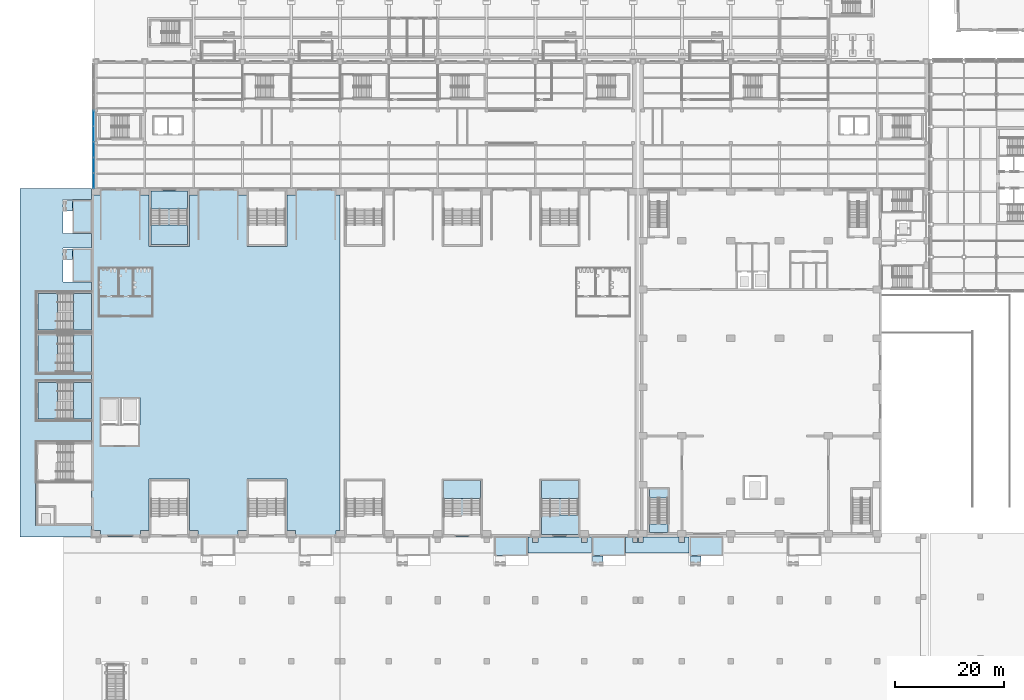
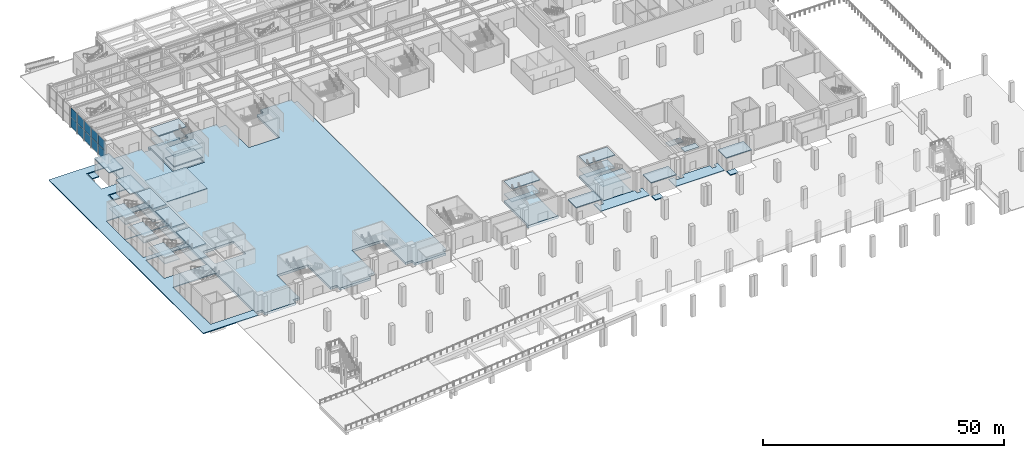
# One storey, part 30 of 77: 37 slabs, 10 plates, 13 elements without a shape of their own.
"""IFC4 building model written with IfcOpenShell, lengths in metres."""

from ifc_helpers import new_model, si_unit, direction, frame, origin, origin_2d, place, context, subcontext, project, spatial, polyline, rectangle, outline, extrude, material, layer, layer_set, type_object, element, aggregate, save


model = new_model("IFC4")

# Units and contexts
model_context = context("Model", 3, precision=1e-05, world=origin(), true_north=direction((0.0, 1.0)))
body_context = subcontext(model_context, "Body", "Model", "MODEL_VIEW")
ifc_project = project(units=[si_unit("LENGTHUNIT", "METRE"), si_unit("AREAUNIT", "SQUARE_METRE"), si_unit("VOLUMEUNIT", "CUBIC_METRE"), si_unit("PLANEANGLEUNIT", "RADIAN"), si_unit("MASSUNIT", "GRAM", prefix="KILO")], contexts=[model_context])

# Site, building, storey
site_placement = place(None, origin())
site = spatial("IfcSite", under=ifc_project, at=site_placement, CompositionType="ELEMENT")
building_placement = place(site_placement, origin())
building = spatial("IfcBuilding", under=site, at=building_placement, Name="Aravalli Gate Trade Fair Centre", CompositionType="ELEMENT")
storey_placement = place(building_placement, origin())
storey = spatial("IfcBuildingStorey", under=building, at=storey_placement, Name="L00", CompositionType="ELEMENT", Elevation=0.0)

# Slabs
ifc_material_1 = material(Name="Concrete M40", Category="concrete")
ifc_layer_1 = layer(ifc_material_1, 0.199951171875)
ifc_layer_set_1 = layer_set([ifc_layer_1], Name="Concrete M40")
slab_type_1 = type_object("IfcSlabType", Name="Apron paving 200", PredefinedType="USERDEFINED", material=ifc_layer_set_1)
slab_1_placement = place(storey_placement, frame((0.0, 0.0, -0.199951171875)))
element("IfcSlab", 1, at=slab_1_placement, inside=storey, type_object=slab_type_1, Name="Paving lane 2", ObjectType="PAVING", PredefinedType="USERDEFINED", context=body_context, shape_type="SweptSolid", body=[
    extrude(outline(polyline([(86.5, 45.39990234375), (86.5, 44.39990234375), (87.5, 44.39990234375), (87.5, 45.39990234375), (95.5, 45.39990234375), (95.5, 44.39990234375), (96.5, 44.39990234375), (96.5, 45.39990234375), (97.35009765625, 45.39990234375), (97.35009765625, 42.39990234375), (85.64990234375, 42.39990234375), (85.64990234375, 45.39990234375), (86.5, 45.39990234375)])), origin(), (0.0, 0.0, 1.0), 0.199951171875),
])
slab_2_placement = place(storey_placement, frame((0.0, 0.0, -0.199951171875)))
element("IfcSlab", 2, at=slab_2_placement, inside=storey, type_object=slab_type_1, Name="Paving lane 2", ObjectType="PAVING", PredefinedType="USERDEFINED", context=body_context, shape_type="SweptSolid", body=[
    extrude(outline(polyline([(105.0, 45.39990234375), (105.0, 44.39990234375), (105.800048828125, 44.39990234375), (105.800048828125, 45.39990234375), (106.0, 45.39990234375), (106.0, 44.39990234375), (106.800048828125, 44.39990234375), (106.800048828125, 45.39990234375), (113.5, 45.39990234375), (113.5, 44.39990234375), (114.5, 44.39990234375), (114.5, 45.39990234375), (115.35009765625, 45.39990234375), (115.35009765625, 42.39990234375), (103.64990234375, 42.39990234375), (103.64990234375, 45.39990234375), (105.0, 45.39990234375)])), origin(), (0.0, 0.0, 1.0), 0.199951171875),
])
ifc_material_2 = material(Name="Concrete M30", Category="concrete")
ifc_layer_2 = layer(ifc_material_2, 0.199951171875)
ifc_layer_set_2 = layer_set([ifc_layer_2], Name="Concrete M30")
slab_type_2 = type_object("IfcSlabType", Name="Basement exit apron 200", PredefinedType="USERDEFINED", material=ifc_layer_set_2)
slab_3_placement = place(storey_placement, frame((0.0, 0.0, -0.199951171875)))
element("IfcSlab", 3, at=slab_3_placement, inside=storey, type_object=slab_type_2, Name="Basement stair W1 exit apron", ObjectType="PAVING", PredefinedType="USERDEFINED", context=body_context, shape_type="SweptSolid", body=[
    extrude(outline(polyline([(1.699951171875, 98.449951171875), (1.699951171875, 96.5), (0.10009765625, 96.5), (0.10009765625, 98.449951171875), (1.699951171875, 98.449951171875)])), origin(), (0.0, 0.0, 1.0), 0.199951171875),
])
slab_4_placement = place(storey_placement, frame((0.0, 0.0, -0.199951171875)))
element("IfcSlab", 4, at=slab_4_placement, inside=storey, type_object=slab_type_2, Name="Basement stair W2 exit apron", ObjectType="PAVING", PredefinedType="USERDEFINED", context=body_context, shape_type="SweptSolid", body=[
    extrude(outline(polyline([(1.699951171875, 107.39990234375), (1.699951171875, 105.449951171875), (0.10009765625, 105.449951171875), (0.10009765625, 107.39990234375), (1.699951171875, 107.39990234375)])), origin(), (0.0, 0.0, 1.0), 0.199951171875),
])
slab_5_placement = place(storey_placement, frame((0.0, 0.0, -0.199951171875)))
element("IfcSlab", 5, at=slab_5_placement, inside=storey, type_object=slab_type_2, Name="Basement stair S5 exit apron", ObjectType="PAVING", PredefinedType="USERDEFINED", context=body_context, shape_type="SweptSolid", body=[
    extrude(outline(polyline([(97.550048828125, 41.89990234375), (99.5, 41.89990234375), (99.5, 40.300048828125), (97.550048828125, 40.300048828125), (97.550048828125, 41.89990234375)])), origin(), (0.0, 0.0, 1.0), 0.199951171875),
])
slab_6_placement = place(storey_placement, frame((0.0, 0.0, -0.199951171875)))
element("IfcSlab", 6, at=slab_6_placement, inside=storey, type_object=slab_type_2, Name="Basement stair S6 exit apron", ObjectType="PAVING", PredefinedType="USERDEFINED", context=body_context, shape_type="SweptSolid", body=[
    extrude(outline(polyline([(115.550048828125, 41.89990234375), (117.5, 41.89990234375), (117.5, 40.300048828125), (115.550048828125, 40.300048828125), (115.550048828125, 41.89990234375)])), origin(), (0.0, 0.0, 1.0), 0.199951171875),
])
ifc_material_3 = material(Name="Concrete M35", Category="concrete")
ifc_layer_3 = layer(ifc_material_3, 0.199951171875)
ifc_layer_set_3 = layer_set([ifc_layer_3], Name="Concrete M35")
slab_type_3 = type_object("IfcSlabType", Name="Basement stair head roof 200", PredefinedType="ROOF", material=ifc_layer_set_3)
slab_7_placement = place(storey_placement, frame((0.0, 0.0, 3.199951171875)))
element("IfcSlab", 7, at=slab_7_placement, inside=storey, type_object=slab_type_3, Name="Basement stair W1 head roof", PredefinedType="ROOF", context=body_context, shape_type="SweptSolid", body=[
    extrude(outline(polyline([(5.199951171875, 98.550048828125), (5.199951171875, 92.449951171875), (1.699951171875, 92.449951171875), (1.699951171875, 98.550048828125), (5.199951171875, 98.550048828125)])), origin(), (0.0, 0.0, 1.0), 0.199951171875),
])
slab_8_placement = place(storey_placement, frame((0.0, 0.0, 3.199951171875)))
element("IfcSlab", 8, at=slab_8_placement, inside=storey, type_object=slab_type_3, Name="Basement stair W2 head roof", PredefinedType="ROOF", context=body_context, shape_type="SweptSolid", body=[
    extrude(outline(polyline([(5.199951171875, 107.5), (5.199951171875, 101.39990234375), (1.699951171875, 101.39990234375), (1.699951171875, 107.5), (5.199951171875, 107.5)])), origin(), (0.0, 0.0, 1.0), 0.199951171875),
])
slab_9_placement = place(storey_placement, frame((0.0, 0.0, 3.199951171875)))
element("IfcSlab", 9, at=slab_9_placement, inside=storey, type_object=slab_type_3, Name="Basement stair S4 head roof", PredefinedType="ROOF", context=body_context, shape_type="SweptSolid", body=[
    extrude(outline(polyline([(79.449951171875, 45.39990234375), (85.550048828125, 45.39990234375), (85.550048828125, 41.89990234375), (79.449951171875, 41.89990234375), (79.449951171875, 45.39990234375)])), origin(), (0.0, 0.0, 1.0), 0.199951171875),
])
slab_10_placement = place(storey_placement, frame((0.0, 0.0, 3.199951171875)))
element("IfcSlab", 10, at=slab_10_placement, inside=storey, type_object=slab_type_3, Name="Basement stair S5 head roof", PredefinedType="ROOF", context=body_context, shape_type="SweptSolid", body=[
    extrude(outline(polyline([(97.449951171875, 45.39990234375), (103.550048828125, 45.39990234375), (103.550048828125, 41.89990234375), (97.449951171875, 41.89990234375), (97.449951171875, 45.39990234375)])), origin(), (0.0, 0.0, 1.0), 0.199951171875),
])
slab_11_placement = place(storey_placement, frame((0.0, 0.0, 3.199951171875)))
element("IfcSlab", 11, at=slab_11_placement, inside=storey, type_object=slab_type_3, Name="Basement stair S6 head roof", PredefinedType="ROOF", context=body_context, shape_type="SweptSolid", body=[
    extrude(outline(polyline([(115.449951171875, 45.39990234375), (121.550048828125, 45.39990234375), (121.550048828125, 41.89990234375), (115.449951171875, 41.89990234375), (115.449951171875, 45.39990234375)])), origin(), (0.0, 0.0, 1.0), 0.199951171875),
])

# Stair, slabs
ifc_material_4 = material(Name="Concrete M45", Category="concrete")
stair_type_1 = type_object("IfcStairType", Name="Congress exit stair", PredefinedType="HALF_TURN_STAIR", material=ifc_material_4)
stair_1_placement = place(storey_placement, origin())
stair_1 = element("IfcStair", 12, at=stair_1_placement, inside=storey, type_object=stair_type_1, Name="Stage Stair West L00", PredefinedType="HALF_TURN_STAIR")
ifc_layer_4 = layer(ifc_material_4, 0.199951171875)
ifc_layer_set_4 = layer_set([ifc_layer_4], Name="Concrete M45")
slab_type_4 = type_object("IfcSlabType", Name="Congress exit stair landing RC 200", PredefinedType="LANDING", material=ifc_layer_set_4)
slab_12_placement = place(storey_placement, frame((0.0, 0.0, 2.300048828125)))
slab_12 = element("IfcSlab", 13, at=slab_12_placement, type_object=slab_type_4, Name="GX1 landing 1", PredefinedType="LANDING", context=body_context, shape_type="SweptSolid", body=[
    extrude(outline(polyline([(108.0, 52.60009765625), (111.39990234375, 52.60009765625), (111.39990234375, 54.199951171875), (108.0, 54.199951171875), (108.0, 52.60009765625)])), origin(), (0.0, 0.0, 1.0), 0.199951171875),
])
slab_13_placement = place(storey_placement, frame((0.0, 0.0, 4.800048828125)))
slab_13 = element("IfcSlab", 14, at=slab_13_placement, type_object=slab_type_4, Name="GX1 landing 2", PredefinedType="LANDING", context=body_context, shape_type="SweptSolid", body=[
    extrude(outline(polyline([(108.0, 46.199951171875), (111.39990234375, 46.199951171875), (111.39990234375, 47.800048828125), (108.0, 47.800048828125), (108.0, 46.199951171875)])), origin(), (0.0, 0.0, 1.0), 0.199951171875),
])
aggregate(stair_1, [slab_12, slab_13])

# Curtain wall, plates
ifc_material_5 = material(Name="Aluminium and glass", Category="aluminium")
curtain_wall_type = type_object("IfcCurtainWallType", Name="Curtain wall 3000 module, tall", PredefinedType="NOTDEFINED", material=ifc_material_5)
curtain_wall_placement = place(storey_placement, origin())
curtain_wall = element("IfcCurtainWall", 15, at=curtain_wall_placement, inside=storey, type_object=curtain_wall_type, Name="Curtain wall west end L00", PredefinedType="NOTDEFINED")
ifc_material_6 = material(Name="Glass, double glazed", Category="glass")
ifc_layer_5 = layer(ifc_material_6, 0.028076171875)
ifc_layer_set_5 = layer_set([ifc_layer_5], Name="Glass, double glazed")
plate_type = type_object("IfcPlateType", Name="Curtain wall panel, double glazed 28", PredefinedType="CURTAIN_PANEL", material=ifc_layer_set_5)
plate_1_placement = place(storey_placement, frame((5.574951171875, 111.052490234375, 0.06005859375), z_axis=(0.0, 0.0, 1.0), x_axis=(0.0, 1.0, 0.0)))
plate_1 = element("IfcPlate", 16, at=plate_1_placement, type_object=plate_type, Name="CW3 panel 1.1", PredefinedType="CURTAIN_PANEL", context=body_context, shape_type="SweptSolid", body=[
    extrude(rectangle(XDim=2.784912109375, YDim=0.028076171875, at=origin_2d()), origin(), (0.0, 0.0, 1.0), 2.409912109375),
])
plate_2_placement = place(storey_placement, frame((5.574951171875, 111.052490234375, 2.5302734375), z_axis=(0.0, 0.0, 1.0), x_axis=(0.0, 1.0, 0.0)))
plate_2 = element("IfcPlate", 17, at=plate_2_placement, type_object=plate_type, Name="CW3 panel 1.2", PredefinedType="CURTAIN_PANEL", context=body_context, shape_type="SweptSolid", body=[
    extrude(rectangle(XDim=2.784912109375, YDim=0.028076171875, at=origin_2d()), origin(), (0.0, 0.0, 1.0), 2.409912109375),
])
plate_3_placement = place(storey_placement, frame((5.574951171875, 113.91259765625, 0.06005859375), z_axis=(0.0, 0.0, 1.0), x_axis=(0.0, 1.0, 0.0)))
plate_3 = element("IfcPlate", 18, at=plate_3_placement, type_object=plate_type, Name="CW3 panel 2.1", PredefinedType="CURTAIN_PANEL", context=body_context, shape_type="SweptSolid", body=[
    extrude(rectangle(XDim=2.81494140625, YDim=0.028076171875, at=origin_2d()), origin(), (0.0, 0.0, 1.0), 2.409912109375),
])
plate_4_placement = place(storey_placement, frame((5.574951171875, 113.91259765625, 2.5302734375), z_axis=(0.0, 0.0, 1.0), x_axis=(0.0, 1.0, 0.0)))
plate_4 = element("IfcPlate", 19, at=plate_4_placement, type_object=plate_type, Name="CW3 panel 2.2", PredefinedType="CURTAIN_PANEL", context=body_context, shape_type="SweptSolid", body=[
    extrude(rectangle(XDim=2.81494140625, YDim=0.028076171875, at=origin_2d()), origin(), (0.0, 0.0, 1.0), 2.409912109375),
])
plate_5_placement = place(storey_placement, frame((5.574951171875, 116.78759765625, 0.06005859375), z_axis=(0.0, 0.0, 1.0), x_axis=(0.0, 1.0, 0.0)))
plate_5 = element("IfcPlate", 20, at=plate_5_placement, type_object=plate_type, Name="CW3 panel 3.1", PredefinedType="CURTAIN_PANEL", context=body_context, shape_type="SweptSolid", body=[
    extrude(rectangle(XDim=2.81494140625, YDim=0.028076171875, at=origin_2d()), origin(), (0.0, 0.0, 1.0), 2.409912109375),
])
plate_6_placement = place(storey_placement, frame((5.574951171875, 116.78759765625, 2.5302734375), z_axis=(0.0, 0.0, 1.0), x_axis=(0.0, 1.0, 0.0)))
plate_6 = element("IfcPlate", 21, at=plate_6_placement, type_object=plate_type, Name="CW3 panel 3.2", PredefinedType="CURTAIN_PANEL", context=body_context, shape_type="SweptSolid", body=[
    extrude(rectangle(XDim=2.81494140625, YDim=0.028076171875, at=origin_2d()), origin(), (0.0, 0.0, 1.0), 2.409912109375),
])
plate_7_placement = place(storey_placement, frame((5.574951171875, 119.66259765625, 0.06005859375), z_axis=(0.0, 0.0, 1.0), x_axis=(0.0, 1.0, 0.0)))
plate_7 = element("IfcPlate", 22, at=plate_7_placement, type_object=plate_type, Name="CW3 panel 4.1", PredefinedType="CURTAIN_PANEL", context=body_context, shape_type="SweptSolid", body=[
    extrude(rectangle(XDim=2.81494140625, YDim=0.028076171875, at=origin_2d()), origin(), (0.0, 0.0, 1.0), 2.409912109375),
])
plate_8_placement = place(storey_placement, frame((5.574951171875, 119.66259765625, 2.5302734375), z_axis=(0.0, 0.0, 1.0), x_axis=(0.0, 1.0, 0.0)))
plate_8 = element("IfcPlate", 23, at=plate_8_placement, type_object=plate_type, Name="CW3 panel 4.2", PredefinedType="CURTAIN_PANEL", context=body_context, shape_type="SweptSolid", body=[
    extrude(rectangle(XDim=2.81494140625, YDim=0.028076171875, at=origin_2d()), origin(), (0.0, 0.0, 1.0), 2.409912109375),
])
plate_9_placement = place(storey_placement, frame((5.574951171875, 122.53759765625, 0.06005859375), z_axis=(0.0, 0.0, 1.0), x_axis=(0.0, 1.0, 0.0)))
plate_9 = element("IfcPlate", 24, at=plate_9_placement, type_object=plate_type, Name="CW3 panel 5.1", PredefinedType="CURTAIN_PANEL", context=body_context, shape_type="SweptSolid", body=[
    extrude(rectangle(XDim=2.81494140625, YDim=0.028076171875, at=origin_2d()), origin(), (0.0, 0.0, 1.0), 2.409912109375),
])
plate_10_placement = place(storey_placement, frame((5.574951171875, 122.53759765625, 2.5302734375), z_axis=(0.0, 0.0, 1.0), x_axis=(0.0, 1.0, 0.0)))
plate_10 = element("IfcPlate", 25, at=plate_10_placement, type_object=plate_type, Name="CW3 panel 5.2", PredefinedType="CURTAIN_PANEL", context=body_context, shape_type="SweptSolid", body=[
    extrude(rectangle(XDim=2.81494140625, YDim=0.028076171875, at=origin_2d()), origin(), (0.0, 0.0, 1.0), 2.409912109375),
])
aggregate(curtain_wall, [plate_1, plate_2, plate_3, plate_4, plate_5, plate_6, plate_7, plate_8, plate_9, plate_10])

# Slabs
ifc_layer_6 = layer(ifc_material_1, 0.60009765625)
ifc_layer_set_6 = layer_set([ifc_layer_6], Name="Concrete M40")
slab_type_5 = type_object("IfcSlabType", Name="Hall 1 deck RC 600", PredefinedType="FLOOR", material=ifc_layer_set_6)
slab_14_placement = place(storey_placement, frame((0.0, 0.0, -0.60009765625)))
element("IfcSlab", 26, at=slab_14_placement, inside=storey, type_object=slab_type_5, Name="Hall 1 deck panel 1", PredefinedType="FLOOR", context=body_context, shape_type="SweptSolid", body=[
    extrude(outline(polyline([(50.199951171875, 46.60009765625), (50.199951171875, 45.39990234375), (42.800048828125, 45.39990234375), (42.800048828125, 46.60009765625), (41.199951171875, 46.60009765625), (41.199951171875, 56.050048828125), (40.89990234375, 56.050048828125), (34.10009765625, 56.050048828125), (33.800048828125, 56.050048828125), (33.800048828125, 46.60009765625), (32.199951171875, 46.60009765625), (32.199951171875, 45.39990234375), (24.800048828125, 45.39990234375), (24.800048828125, 46.60009765625), (23.199951171875, 46.60009765625), (23.199951171875, 56.050048828125), (22.89990234375, 56.050048828125), (16.10009765625, 56.050048828125), (15.800048828125, 56.050048828125), (15.800048828125, 46.60009765625), (14.199951171875, 46.60009765625), (14.199951171875, 45.39990234375), (6.800048828125, 45.39990234375), (6.800048828125, 46.60009765625), (5.199951171875, 46.60009765625), (5.199951171875, 108.39990234375), (6.800048828125, 108.39990234375), (6.800048828125, 109.60009765625), (14.199951171875, 109.60009765625), (14.199951171875, 108.39990234375), (15.800048828125, 108.39990234375), (15.800048828125, 98.949951171875), (16.10009765625, 98.949951171875), (22.89990234375, 98.949951171875), (23.199951171875, 98.949951171875), (23.199951171875, 108.39990234375), (24.800048828125, 108.39990234375), (24.800048828125, 109.60009765625), (32.199951171875, 109.60009765625), (32.199951171875, 108.39990234375), (33.800048828125, 108.39990234375), (33.800048828125, 98.949951171875), (34.10009765625, 98.949951171875), (40.89990234375, 98.949951171875), (41.199951171875, 98.949951171875), (41.199951171875, 108.39990234375), (42.800048828125, 108.39990234375), (42.800048828125, 109.60009765625), (50.199951171875, 109.60009765625), (50.199951171875, 108.39990234375), (50.97998046875, 108.39990234375), (50.97998046875, 46.60009765625), (50.199951171875, 46.60009765625)]), holes=[polyline([(14.10009765625, 66.0), (14.10009765625, 71.10009765625), (6.699951171875, 71.10009765625), (6.699951171875, 66.0), (14.10009765625, 66.0)])]), origin(), (0.0, 0.0, 1.0), 0.60009765625),
])
slab_15_placement = place(storey_placement, frame((0.0, 0.0, -0.60009765625)))
element("IfcSlab", 27, at=slab_15_placement, inside=storey, type_object=slab_type_5, Name="Hall 1 deck panel 1", PredefinedType="FLOOR", context=body_context, shape_type="SweptSolid", body=[
    extrude(outline(polyline([(15.800048828125, 109.60009765625), (23.199951171875, 109.60009765625), (23.199951171875, 109.14990234375), (22.89990234375, 109.14990234375), (22.89990234375, 99.25), (16.10009765625, 99.25), (16.10009765625, 109.14990234375), (15.800048828125, 109.14990234375), (15.800048828125, 109.60009765625)])), origin(), (0.0, 0.0, 1.0), 0.60009765625),
])
slab_16_placement = place(storey_placement, frame((0.0, 0.0, -0.60009765625)))
element("IfcSlab", 28, at=slab_16_placement, inside=storey, type_object=slab_type_5, Name="Hall 1 deck panel 2", PredefinedType="FLOOR", context=body_context, shape_type="SweptSolid", body=[
    extrude(outline(polyline([(77.199951171875, 45.39990234375), (69.800048828125, 45.39990234375), (69.800048828125, 45.85009765625), (70.10009765625, 45.85009765625), (70.10009765625, 55.75), (76.89990234375, 55.75), (76.89990234375, 45.85009765625), (77.199951171875, 45.85009765625), (77.199951171875, 45.39990234375)])), origin(), (0.0, 0.0, 1.0), 0.60009765625),
])
slab_17_placement = place(storey_placement, frame((0.0, 0.0, -0.60009765625)))
element("IfcSlab", 29, at=slab_17_placement, inside=storey, type_object=slab_type_5, Name="Hall 1 deck panel 2", PredefinedType="FLOOR", context=body_context, shape_type="SweptSolid", body=[
    extrude(outline(polyline([(95.199951171875, 45.39990234375), (87.800048828125, 45.39990234375), (87.800048828125, 45.85009765625), (88.10009765625, 45.85009765625), (88.10009765625, 55.75), (94.89990234375, 55.75), (94.89990234375, 45.85009765625), (95.199951171875, 45.85009765625), (95.199951171875, 45.39990234375)])), origin(), (0.0, 0.0, 1.0), 0.60009765625),
])

# Stair, slabs
stair_type_2 = type_object("IfcStairType", Name="Hall exit stair, three flights", PredefinedType="HALF_TURN_STAIR", material=ifc_material_1)
stair_2_placement = place(storey_placement, origin())
stair_2 = element("IfcStair", 30, at=stair_2_placement, inside=storey, type_object=stair_type_2, Name="Exit stair ST-S08 lane A L00", PredefinedType="HALF_TURN_STAIR")
ifc_layer_7 = layer(ifc_material_1, 0.199951171875)
ifc_layer_set_7 = layer_set([ifc_layer_7], Name="Concrete M40")
slab_type_6 = type_object("IfcSlabType", Name="Hall exit stair landing RC 200", PredefinedType="LANDING", material=ifc_layer_set_7)
slab_18_placement = place(storey_placement, frame((0.0, 0.0, 1.564697265625)))
slab_18 = element("IfcSlab", 31, at=slab_18_placement, type_object=slab_type_6, Name="ST-S08A landing 1", PredefinedType="LANDING", context=body_context, shape_type="SweptSolid", body=[
    extrude(outline(polyline([(70.10009765625, 52.449951171875), (76.89990234375, 52.449951171875), (76.89990234375, 55.75), (70.10009765625, 55.75), (70.10009765625, 52.449951171875)])), origin(), (0.0, 0.0, 1.0), 0.199951171875),
])
slab_19_placement = place(storey_placement, frame((0.0, 0.0, 4.800048828125)))
slab_19 = element("IfcSlab", 32, at=slab_19_placement, type_object=slab_type_6, Name="ST-S08A landing 2", PredefinedType="LANDING", context=body_context, shape_type="SweptSolid", body=[
    extrude(outline(polyline([(70.10009765625, 52.449951171875), (76.89990234375, 52.449951171875), (76.89990234375, 55.75), (70.10009765625, 55.75), (70.10009765625, 52.449951171875)])), origin(), (0.0, 0.0, 1.0), 0.199951171875),
])
aggregate(stair_2, [slab_18, slab_19])

stair_3_placement = place(storey_placement, origin())
stair_3 = element("IfcStair", 33, at=stair_3_placement, inside=storey, type_object=stair_type_2, Name="Exit stair ST-S10 lane A L00", PredefinedType="HALF_TURN_STAIR")
slab_20_placement = place(storey_placement, frame((0.0, 0.0, 1.564697265625)))
slab_20 = element("IfcSlab", 34, at=slab_20_placement, type_object=slab_type_6, Name="ST-S10A landing 1", PredefinedType="LANDING", context=body_context, shape_type="SweptSolid", body=[
    extrude(outline(polyline([(88.10009765625, 52.449951171875), (94.89990234375, 52.449951171875), (94.89990234375, 55.75), (88.10009765625, 55.75), (88.10009765625, 52.449951171875)])), origin(), (0.0, 0.0, 1.0), 0.199951171875),
])
slab_21_placement = place(storey_placement, frame((0.0, 0.0, 4.800048828125)))
slab_21 = element("IfcSlab", 35, at=slab_21_placement, type_object=slab_type_6, Name="ST-S10A landing 2", PredefinedType="LANDING", context=body_context, shape_type="SweptSolid", body=[
    extrude(outline(polyline([(88.10009765625, 52.449951171875), (94.89990234375, 52.449951171875), (94.89990234375, 55.75), (88.10009765625, 55.75), (88.10009765625, 52.449951171875)])), origin(), (0.0, 0.0, 1.0), 0.199951171875),
])
aggregate(stair_3, [slab_20, slab_21])

# Stair, slab
stair_4_placement = place(storey_placement, origin())
stair_4 = element("IfcStair", 36, at=stair_4_placement, inside=storey, type_object=stair_type_2, Name="Exit stair ST-S10 lane B L00", PredefinedType="HALF_TURN_STAIR")
slab_22_placement = place(storey_placement, frame((0.0, 0.0, 3.182373046875)))
slab_22 = element("IfcSlab", 37, at=slab_22_placement, type_object=slab_type_6, Name="ST-S10B landing 1", PredefinedType="LANDING", context=body_context, shape_type="SweptSolid", body=[
    extrude(outline(polyline([(88.10009765625, 45.85009765625), (94.89990234375, 45.85009765625), (94.89990234375, 49.449951171875), (88.10009765625, 49.449951171875), (88.10009765625, 45.85009765625)])), origin(), (0.0, 0.0, 1.0), 0.199951171875),
])
aggregate(stair_4, [slab_22])

# Stair, slabs
stair_type_3 = type_object("IfcStairType", Name="Hall exit stair, four flights", PredefinedType="HALF_TURN_STAIR", material=ifc_material_1)
stair_5_placement = place(storey_placement, origin())
stair_5 = element("IfcStair", 38, at=stair_5_placement, inside=storey, type_object=stair_type_3, Name="Exit stair ST-N02 lane A L00", PredefinedType="HALF_TURN_STAIR")
slab_23_placement = place(storey_placement, frame((0.0, 0.0, 1.050048828125)))
slab_23 = element("IfcSlab", 39, at=slab_23_placement, type_object=slab_type_6, Name="ST-N02A landing 1", PredefinedType="LANDING", context=body_context, shape_type="SweptSolid", body=[
    extrude(outline(polyline([(16.10009765625, 102.85009765625), (22.89990234375, 102.85009765625), (22.89990234375, 99.25), (16.10009765625, 99.25), (16.10009765625, 102.85009765625)])), origin(), (0.0, 0.0, 1.0), 0.199951171875),
])
slab_24_placement = place(storey_placement, frame((0.0, 0.0, 3.550048828125)))
slab_24 = element("IfcSlab", 40, at=slab_24_placement, type_object=slab_type_6, Name="ST-N02A landing 2", PredefinedType="LANDING", context=body_context, shape_type="SweptSolid", body=[
    extrude(outline(polyline([(16.10009765625, 102.85009765625), (22.89990234375, 102.85009765625), (22.89990234375, 99.25), (16.10009765625, 99.25), (16.10009765625, 102.85009765625)])), origin(), (0.0, 0.0, 1.0), 0.199951171875),
])
aggregate(stair_5, [slab_23, slab_24])

stair_6_placement = place(storey_placement, origin())
stair_6 = element("IfcStair", 41, at=stair_6_placement, inside=storey, type_object=stair_type_3, Name="Exit stair ST-N02 lane B L00", PredefinedType="HALF_TURN_STAIR")
slab_25_placement = place(storey_placement, frame((0.0, 0.0, 2.300048828125)))
slab_25 = element("IfcSlab", 42, at=slab_25_placement, type_object=slab_type_6, Name="ST-N02B landing 1", PredefinedType="LANDING", context=body_context, shape_type="SweptSolid", body=[
    extrude(outline(polyline([(16.10009765625, 109.14990234375), (22.89990234375, 109.14990234375), (22.89990234375, 105.85009765625), (16.10009765625, 105.85009765625), (16.10009765625, 109.14990234375)])), origin(), (0.0, 0.0, 1.0), 0.199951171875),
])
slab_26_placement = place(storey_placement, frame((0.0, 0.0, 4.800048828125)))
slab_26 = element("IfcSlab", 43, at=slab_26_placement, type_object=slab_type_6, Name="ST-N02B landing 2", PredefinedType="LANDING", context=body_context, shape_type="SweptSolid", body=[
    extrude(outline(polyline([(16.10009765625, 109.14990234375), (22.89990234375, 109.14990234375), (22.89990234375, 105.85009765625), (16.10009765625, 105.85009765625), (16.10009765625, 109.14990234375)])), origin(), (0.0, 0.0, 1.0), 0.199951171875),
])
aggregate(stair_6, [slab_25, slab_26])

stair_7_placement = place(storey_placement, origin())
stair_7 = element("IfcStair", 44, at=stair_7_placement, inside=storey, type_object=stair_type_2, Name="Exit stair ST-W2 lane A L00", PredefinedType="HALF_TURN_STAIR")
slab_27_placement = place(storey_placement, frame((0.0, 0.0, 1.564697265625)))
slab_27 = element("IfcSlab", 45, at=slab_27_placement, type_object=slab_type_6, Name="ST-W2A landing 1", PredefinedType="LANDING", context=body_context, shape_type="SweptSolid", body=[
    extrude(outline(polyline([(5.199951171875, 75.800048828125), (5.199951171875, 82.60009765625), (1.89990234375, 82.60009765625), (1.89990234375, 75.800048828125), (5.199951171875, 75.800048828125)])), origin(), (0.0, 0.0, 1.0), 0.199951171875),
])
slab_28_placement = place(storey_placement, frame((0.0, 0.0, 4.800048828125)))
slab_28 = element("IfcSlab", 46, at=slab_28_placement, type_object=slab_type_6, Name="ST-W2A landing 2", PredefinedType="LANDING", context=body_context, shape_type="SweptSolid", body=[
    extrude(outline(polyline([(5.199951171875, 75.800048828125), (5.199951171875, 82.60009765625), (1.89990234375, 82.60009765625), (1.89990234375, 75.800048828125), (5.199951171875, 75.800048828125)])), origin(), (0.0, 0.0, 1.0), 0.199951171875),
])
aggregate(stair_7, [slab_27, slab_28])

# Stair, slab
stair_8_placement = place(storey_placement, origin())
stair_8 = element("IfcStair", 47, at=stair_8_placement, inside=storey, type_object=stair_type_2, Name="Exit stair ST-W2 lane B L00", PredefinedType="HALF_TURN_STAIR")
slab_29_placement = place(storey_placement, frame((0.0, 0.0, 3.182373046875)))
slab_29 = element("IfcSlab", 48, at=slab_29_placement, type_object=slab_type_6, Name="ST-W2B landing 1", PredefinedType="LANDING", context=body_context, shape_type="SweptSolid", body=[
    extrude(outline(polyline([(-1.10009765625, 75.800048828125), (-1.10009765625, 82.60009765625), (-4.699951171875, 82.60009765625), (-4.699951171875, 75.800048828125), (-1.10009765625, 75.800048828125)])), origin(), (0.0, 0.0, 1.0), 0.199951171875),
])
aggregate(stair_8, [slab_29])

# Stair, slabs
stair_9_placement = place(storey_placement, origin())
stair_9 = element("IfcStair", 49, at=stair_9_placement, inside=storey, type_object=stair_type_2, Name="Exit stair ST-W4 lane A L00", PredefinedType="HALF_TURN_STAIR")
slab_30_placement = place(storey_placement, frame((0.0, 0.0, 1.564697265625)))
slab_30 = element("IfcSlab", 50, at=slab_30_placement, type_object=slab_type_6, Name="ST-W4A landing 1", PredefinedType="LANDING", context=body_context, shape_type="SweptSolid", body=[
    extrude(outline(polyline([(5.199951171875, 67.10009765625), (5.199951171875, 73.89990234375), (1.89990234375, 73.89990234375), (1.89990234375, 67.10009765625), (5.199951171875, 67.10009765625)])), origin(), (0.0, 0.0, 1.0), 0.199951171875),
])
slab_31_placement = place(storey_placement, frame((0.0, 0.0, 4.800048828125)))
slab_31 = element("IfcSlab", 51, at=slab_31_placement, type_object=slab_type_6, Name="ST-W4A landing 2", PredefinedType="LANDING", context=body_context, shape_type="SweptSolid", body=[
    extrude(outline(polyline([(5.199951171875, 67.10009765625), (5.199951171875, 73.89990234375), (1.89990234375, 73.89990234375), (1.89990234375, 67.10009765625), (5.199951171875, 67.10009765625)])), origin(), (0.0, 0.0, 1.0), 0.199951171875),
])
aggregate(stair_9, [slab_30, slab_31])

# Stair, slab
stair_10_placement = place(storey_placement, origin())
stair_10 = element("IfcStair", 52, at=stair_10_placement, inside=storey, type_object=stair_type_2, Name="Exit stair ST-W4 lane B L00", PredefinedType="HALF_TURN_STAIR")
slab_32_placement = place(storey_placement, frame((0.0, 0.0, 3.182373046875)))
slab_32 = element("IfcSlab", 53, at=slab_32_placement, type_object=slab_type_6, Name="ST-W4B landing 1", PredefinedType="LANDING", context=body_context, shape_type="SweptSolid", body=[
    extrude(outline(polyline([(-1.10009765625, 67.10009765625), (-1.10009765625, 73.89990234375), (-4.699951171875, 73.89990234375), (-4.699951171875, 67.10009765625), (-1.10009765625, 67.10009765625)])), origin(), (0.0, 0.0, 1.0), 0.199951171875),
])
aggregate(stair_10, [slab_32])

# Stair, slabs
stair_11_placement = place(storey_placement, origin())
stair_11 = element("IfcStair", 54, at=stair_11_placement, inside=storey, type_object=stair_type_2, Name="Exit stair ST-W5 lane A L00", PredefinedType="HALF_TURN_STAIR")
slab_33_placement = place(storey_placement, frame((0.0, 0.0, 1.564697265625)))
slab_33 = element("IfcSlab", 55, at=slab_33_placement, type_object=slab_type_6, Name="ST-W5A landing 1", PredefinedType="LANDING", context=body_context, shape_type="SweptSolid", body=[
    extrude(outline(polyline([(5.199951171875, 83.5), (5.199951171875, 90.300048828125), (1.89990234375, 90.300048828125), (1.89990234375, 83.5), (5.199951171875, 83.5)])), origin(), (0.0, 0.0, 1.0), 0.199951171875),
])
slab_34_placement = place(storey_placement, frame((0.0, 0.0, 4.800048828125)))
slab_34 = element("IfcSlab", 56, at=slab_34_placement, type_object=slab_type_6, Name="ST-W5A landing 2", PredefinedType="LANDING", context=body_context, shape_type="SweptSolid", body=[
    extrude(outline(polyline([(5.199951171875, 83.5), (5.199951171875, 90.300048828125), (1.89990234375, 90.300048828125), (1.89990234375, 83.5), (5.199951171875, 83.5)])), origin(), (0.0, 0.0, 1.0), 0.199951171875),
])
aggregate(stair_11, [slab_33, slab_34])

# Stair, slab
stair_12_placement = place(storey_placement, origin())
stair_12 = element("IfcStair", 57, at=stair_12_placement, inside=storey, type_object=stair_type_2, Name="Exit stair ST-W5 lane B L00", PredefinedType="HALF_TURN_STAIR")
slab_35_placement = place(storey_placement, frame((0.0, 0.0, 3.182373046875)))
slab_35 = element("IfcSlab", 58, at=slab_35_placement, type_object=slab_type_6, Name="ST-W5B landing 1", PredefinedType="LANDING", context=body_context, shape_type="SweptSolid", body=[
    extrude(outline(polyline([(-1.10009765625, 83.5), (-1.10009765625, 90.300048828125), (-4.699951171875, 90.300048828125), (-4.699951171875, 83.5), (-1.10009765625, 83.5)])), origin(), (0.0, 0.0, 1.0), 0.199951171875),
])
aggregate(stair_12, [slab_35])

# Slabs
ifc_layer_8 = layer(ifc_material_1, 0.14990234375)
ifc_layer_set_8 = layer_set([ifc_layer_8], Name="Concrete M40")
slab_type_7 = type_object("IfcSlabType", Name="WC block roof slab 150", PredefinedType="ROOF", material=ifc_layer_set_8)
slab_36_placement = place(storey_placement, frame((0.0, 0.0, 3.449951171875)))
element("IfcSlab", 59, at=slab_36_placement, inside=storey, type_object=slab_type_7, Name="WC block W L00 roof", PredefinedType="ROOF", context=body_context, shape_type="SweptSolid", body=[
    extrude(outline(polyline([(6.5, 86.0), (16.5, 86.0), (16.5, 95.0), (6.5, 95.0), (6.5, 86.0)])), origin(), (0.0, 0.0, 1.0), 0.150146484375),
])
ifc_layer_9 = layer(ifc_material_1, 0.199951171875)
ifc_layer_set_9 = layer_set([ifc_layer_9], Name="Concrete M40")
slab_type_8 = type_object("IfcSlabType", Name="Yard paving 200", PredefinedType="USERDEFINED", material=ifc_layer_set_9)
slab_37_placement = place(storey_placement, frame((0.0, 0.0, -0.199951171875)))
element("IfcSlab", 60, at=slab_37_placement, inside=storey, type_object=slab_type_8, Name="Paving west yard 1", ObjectType="PAVING", PredefinedType="USERDEFINED", context=body_context, shape_type="SweptSolid", body=[
    extrude(outline(polyline([(-8.0, 109.60009765625), (5.199951171875, 109.60009765625), (5.199951171875, 107.60009765625), (0.89990234375, 107.60009765625), (-0.10009765625, 107.60009765625), (-0.10009765625, 101.300048828125), (0.89990234375, 101.300048828125), (5.199951171875, 101.300048828125), (5.199951171875, 98.64990234375), (0.89990234375, 98.64990234375), (-0.10009765625, 98.64990234375), (-0.10009765625, 92.35009765625), (0.89990234375, 92.35009765625), (5.199951171875, 92.35009765625), (5.199951171875, 90.699951171875), (-5.10009765625, 90.699951171875), (-5.10009765625, 83.10009765625), (5.199951171875, 83.10009765625), (5.199951171875, 83.0), (-5.10009765625, 83.0), (-5.10009765625, 75.39990234375), (5.199951171875, 75.39990234375), (5.199951171875, 74.300048828125), (-5.10009765625, 74.300048828125), (-5.10009765625, 66.699951171875), (5.199951171875, 66.699951171875), (5.199951171875, 63.0), (-5.10009765625, 63.0), (-5.10009765625, 55.39990234375), (-5.10009765625, 47.5), (5.199951171875, 47.5), (5.199951171875, 45.39990234375), (-8.0, 45.39990234375), (-8.0, 109.60009765625)])), origin(), (0.0, 0.0, 1.0), 0.199951171875),
])

save(model, "model.ifc")
